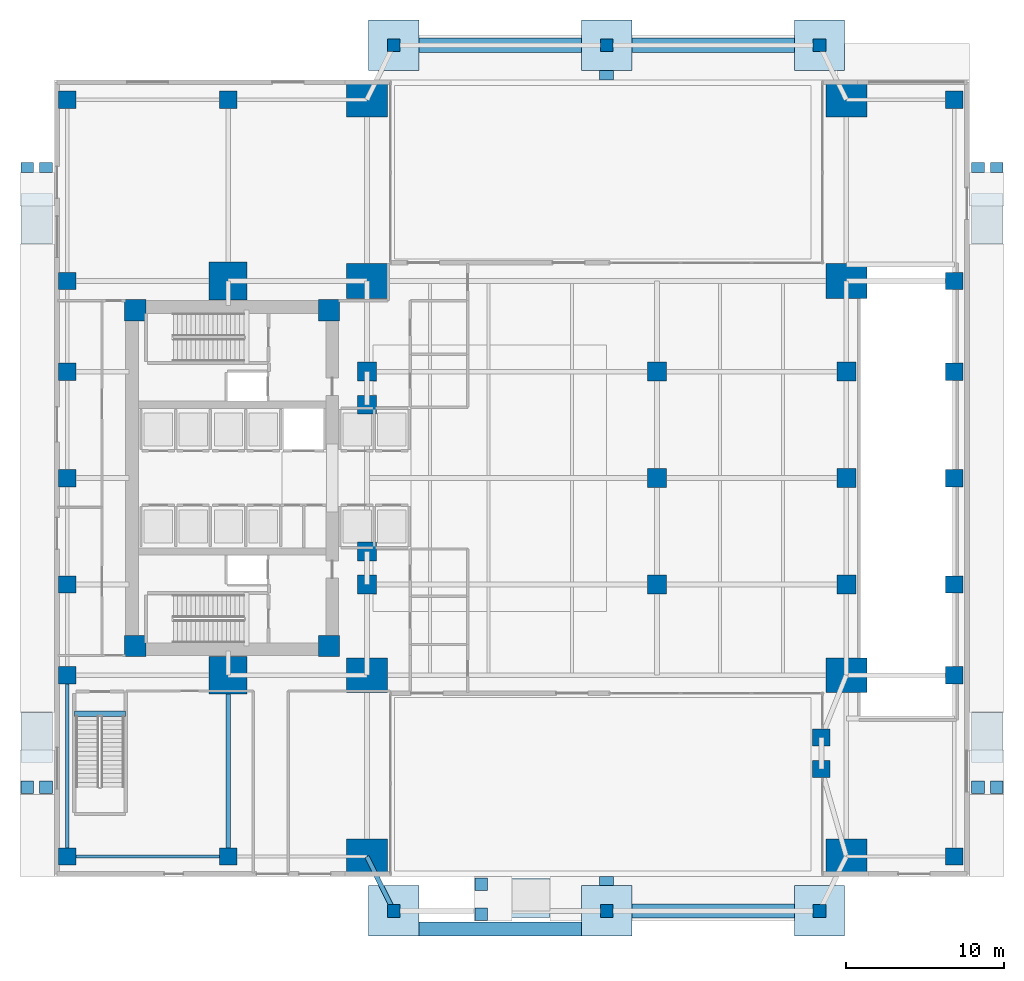
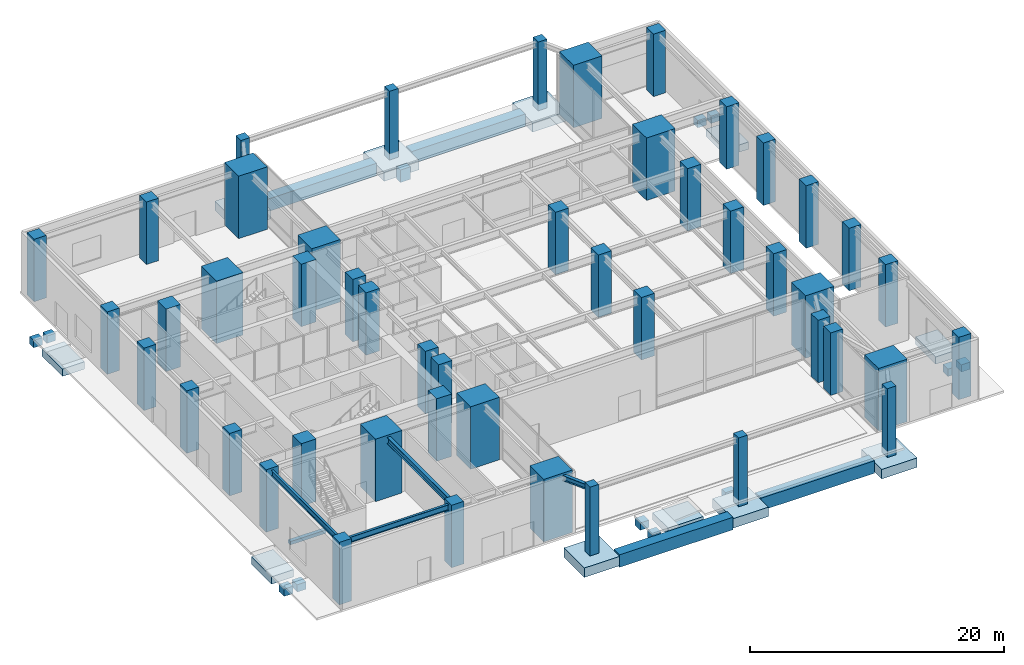
# One storey, part 1 of 17: 48 columns, 27 footings, 5 beams.
"""IFC4 building model written with IfcOpenShell, lengths in metres."""

from ifc_helpers import new_model, si_unit, direction, frame, origin, origin_2d, place, context, subcontext, project, spatial, polyline, rectangle, i_section, outline, extrude, material, layer, layer_set, material_profile, profile_set, type_object, element, save


model = new_model("IFC4")

# Units and contexts
model_context = context("Model", 3, precision=1e-05, world=origin(), true_north=direction((0.0, 1.0)))
body_context = subcontext(model_context, "Body", "Model", "MODEL_VIEW")
ifc_project = project(units=[si_unit("LENGTHUNIT", "METRE"), si_unit("AREAUNIT", "SQUARE_METRE"), si_unit("VOLUMEUNIT", "CUBIC_METRE"), si_unit("PLANEANGLEUNIT", "RADIAN"), si_unit("MASSUNIT", "GRAM", prefix="KILO")], contexts=[model_context])

# Site, building, storey
site_placement = place(None, origin())
site = spatial("IfcSite", under=ifc_project, at=site_placement, CompositionType="ELEMENT")
building_placement = place(site_placement, origin())
building = spatial("IfcBuilding", under=site, at=building_placement, Name="Kinhvarn Gate Tower", CompositionType="ELEMENT")
storey_placement = place(building_placement, origin())
storey = spatial("IfcBuildingStorey", under=building, at=storey_placement, Name="L00", CompositionType="ELEMENT", Elevation=0.0)

# Footings
ifc_material_1 = material(Name="Concrete C50/60", Category="concrete")
ifc_material_profile_1 = material_profile(ifc_material_1, rectangle(XDim=0.89990234375, YDim=1.199951171875, at=origin_2d()), Name="RC 900x1200")
ifc_profile_set_1 = profile_set([ifc_material_profile_1], Name="Concrete C50/60")
footing_type_1 = type_object("IfcFootingType", Name="FTG-BEAM-1200", PredefinedType="FOOTING_BEAM", material=ifc_profile_set_1)
for number, where, z_axis, x_axis, name in (
    (1, (23.10009765625, -3.35009765625, -1.050048828125), (1.0, 0.0, 0.0), (0.0, 1.0, 0.0), "Entrance Portico Tie Footing Beam FB-01-S-EW1"),
    (2, (36.60009765625, -2.199951171875, -1.050048828125), (1.0, 0.0, 0.0), (0.0, 1.0, 0.0), "Entrance Portico Tie Footing Beam FB-01-S-EW2"),
    (3, (23.10009765625, 52.699951171875, -1.050048828125), (1.0, 0.0, 0.0), (0.0, 1.0, 0.0), "Entrance Portico Tie Footing Beam FB-01-N-EW1"),
    (4, (36.60009765625, 52.699951171875, -1.050048828125), (1.0, 0.0, 0.0), (0.0, 1.0, 0.0), "Entrance Portico Tie Footing Beam FB-01-N-EW2"),
):
    element("IfcFooting", number, at=place(storey_placement, frame(where, z_axis=z_axis, x_axis=x_axis)), inside=storey, type_object=footing_type_1, Name=name, PredefinedType="FOOTING_BEAM", context=body_context, shape_type="SweptSolid", body=[
        extrude(rectangle(XDim=0.89990234375, YDim=1.199951171875, at=origin_2d()), origin(), (0.0, 0.0, 1.0), 10.2998046875),
    ])
for number, where, z_axis, x_axis, name in (
    (5, (35.0, -0.60009765625, -1.050048828125), (0.0, 1.0, 0.0), (-1.0, 0.0, 0.0), "Entrance Portico Tie Footing Beam FB-01-S-TIE"),
    (6, (35.0, 50.5, -1.050048828125), (0.0, 1.0, 0.0), (-1.0, 0.0, 0.0), "Entrance Portico Tie Footing Beam FB-01-N-TIE"),
):
    element("IfcFooting", number, at=place(storey_placement, frame(where, z_axis=z_axis, x_axis=x_axis)), inside=storey, type_object=footing_type_1, Name=name, PredefinedType="FOOTING_BEAM", context=body_context, shape_type="SweptSolid", body=[
        extrude(rectangle(XDim=0.89990234375, YDim=1.199951171875, at=origin_2d()), origin(), (0.0, 0.0, 1.0), 0.60009765625),
    ])
ifc_layer = layer(ifc_material_1, 0.89990234375)
ifc_layer_set = layer_set([ifc_layer], Name="Concrete C50/60")
footing_type_2 = type_object("IfcFootingType", Name="FTG-PAD-3200", PredefinedType="PAD_FOOTING", material=ifc_layer_set)
footing_1_placement = place(storey_placement, frame((0.0, 0.0, -1.5)))
element("IfcFooting", 7, at=footing_1_placement, inside=storey, type_object=footing_type_2, Name="Entrance Portico Pad Footing PF-01-PS1", PredefinedType="PAD_FOOTING", context=body_context, shape_type="SweptSolid", body=[
    extrude(outline(polyline([(19.89990234375, -3.800048828125), (23.10009765625, -3.800048828125), (23.10009765625, -0.60009765625), (19.89990234375, -0.60009765625), (19.89990234375, -3.800048828125)])), origin(), (0.0, 0.0, 1.0), 0.89990234375),
])
footing_2_placement = place(storey_placement, frame((0.0, 0.0, -1.5)))
element("IfcFooting", 8, at=footing_2_placement, inside=storey, type_object=footing_type_2, Name="Entrance Portico Pad Footing PF-01-PS2", PredefinedType="PAD_FOOTING", context=body_context, shape_type="SweptSolid", body=[
    extrude(outline(polyline([(33.39990234375, -3.800048828125), (36.60009765625, -3.800048828125), (36.60009765625, -0.60009765625), (33.39990234375, -0.60009765625), (33.39990234375, -3.800048828125)])), origin(), (0.0, 0.0, 1.0), 0.89990234375),
])
footing_3_placement = place(storey_placement, frame((0.0, 0.0, -1.5)))
element("IfcFooting", 9, at=footing_3_placement, inside=storey, type_object=footing_type_2, Name="Entrance Portico Pad Footing PF-01-PS3", PredefinedType="PAD_FOOTING", context=body_context, shape_type="SweptSolid", body=[
    extrude(outline(polyline([(46.89990234375, -3.800048828125), (50.10009765625, -3.800048828125), (50.10009765625, -0.60009765625), (46.89990234375, -0.60009765625), (46.89990234375, -3.800048828125)])), origin(), (0.0, 0.0, 1.0), 0.89990234375),
])
footing_4_placement = place(storey_placement, frame((0.0, 0.0, -1.5)))
element("IfcFooting", 10, at=footing_4_placement, inside=storey, type_object=footing_type_2, Name="Entrance Portico Pad Footing PF-01-PN1", PredefinedType="PAD_FOOTING", context=body_context, shape_type="SweptSolid", body=[
    extrude(outline(polyline([(19.89990234375, 51.10009765625), (23.10009765625, 51.10009765625), (23.10009765625, 54.300048828125), (19.89990234375, 54.300048828125), (19.89990234375, 51.10009765625)])), origin(), (0.0, 0.0, 1.0), 0.89990234375),
])
footing_5_placement = place(storey_placement, frame((0.0, 0.0, -1.5)))
element("IfcFooting", 11, at=footing_5_placement, inside=storey, type_object=footing_type_2, Name="Entrance Portico Pad Footing PF-01-PN2", PredefinedType="PAD_FOOTING", context=body_context, shape_type="SweptSolid", body=[
    extrude(outline(polyline([(33.39990234375, 51.10009765625), (36.60009765625, 51.10009765625), (36.60009765625, 54.300048828125), (33.39990234375, 54.300048828125), (33.39990234375, 51.10009765625)])), origin(), (0.0, 0.0, 1.0), 0.89990234375),
])
footing_6_placement = place(storey_placement, frame((0.0, 0.0, -1.5)))
element("IfcFooting", 12, at=footing_6_placement, inside=storey, type_object=footing_type_2, Name="Entrance Portico Pad Footing PF-01-PN3", PredefinedType="PAD_FOOTING", context=body_context, shape_type="SweptSolid", body=[
    extrude(outline(polyline([(46.89990234375, 51.10009765625), (50.10009765625, 51.10009765625), (50.10009765625, 54.300048828125), (46.89990234375, 54.300048828125), (46.89990234375, 51.10009765625)])), origin(), (0.0, 0.0, 1.0), 0.89990234375),
])
footing_7_placement = place(storey_placement, frame((0.0, 0.0, -1.10009765625)))
element("IfcFooting", 13, at=footing_7_placement, inside=storey, type_object=footing_type_2, Name="Entrance Grade Pad Footing PF-01-WS-1", PredefinedType="PAD_FOOTING", context=body_context, shape_type="SweptSolid", body=[
    extrude(outline(polyline([(-2.14990234375, 5.25), (-1.35009765625, 5.25), (-1.35009765625, 6.050048828125), (-2.14990234375, 6.050048828125), (-2.14990234375, 5.25)])), origin(), (0.0, 0.0, 1.0), 0.7001953125),
])
footing_8_placement = place(storey_placement, frame((0.0, 0.0, -1.10009765625)))
element("IfcFooting", 14, at=footing_8_placement, inside=storey, type_object=footing_type_2, Name="Entrance Grade Pad Footing PF-01-WS-2", PredefinedType="PAD_FOOTING", context=body_context, shape_type="SweptSolid", body=[
    extrude(outline(polyline([(-0.949951171875, 5.25), (-0.14990234375, 5.25), (-0.14990234375, 6.050048828125), (-0.949951171875, 6.050048828125), (-0.949951171875, 5.25)])), origin(), (0.0, 0.0, 1.0), 0.7001953125),
])
footing_9_placement = place(storey_placement, frame((0.0, 0.0, -1.10009765625)))
element("IfcFooting", 15, at=footing_9_placement, inside=storey, type_object=footing_type_2, Name="Entrance Grade Pad Footing PF-01-WS-3", PredefinedType="PAD_FOOTING", context=body_context, shape_type="SweptSolid", body=[
    extrude(outline(polyline([(-2.14990234375, 7.199951171875), (-0.14990234375, 7.199951171875), (-0.14990234375, 10.39990234375), (-2.14990234375, 10.39990234375), (-2.14990234375, 7.199951171875)])), origin(), (0.0, 0.0, 1.0), 0.7001953125),
])
footing_10_placement = place(storey_placement, frame((0.0, 0.0, -1.10009765625)))
element("IfcFooting", 16, at=footing_10_placement, inside=storey, type_object=footing_type_2, Name="Entrance Grade Pad Footing PF-01-WN-1", PredefinedType="PAD_FOOTING", context=body_context, shape_type="SweptSolid", body=[
    extrude(outline(polyline([(-2.14990234375, 44.6201171875), (-1.35009765625, 44.6201171875), (-1.35009765625, 45.25), (-2.14990234375, 45.25), (-2.14990234375, 44.6201171875)])), origin(), (0.0, 0.0, 1.0), 0.7001953125),
])
footing_11_placement = place(storey_placement, frame((0.0, 0.0, -1.10009765625)))
element("IfcFooting", 17, at=footing_11_placement, inside=storey, type_object=footing_type_2, Name="Entrance Grade Pad Footing PF-01-WN-2", PredefinedType="PAD_FOOTING", context=body_context, shape_type="SweptSolid", body=[
    extrude(outline(polyline([(-0.949951171875, 44.6201171875), (-0.14990234375, 44.6201171875), (-0.14990234375, 45.25), (-0.949951171875, 45.25), (-0.949951171875, 44.6201171875)])), origin(), (0.0, 0.0, 1.0), 0.7001953125),
])
footing_12_placement = place(storey_placement, frame((0.0, 0.0, -1.10009765625)))
element("IfcFooting", 18, at=footing_12_placement, inside=storey, type_object=footing_type_2, Name="Entrance Grade Pad Footing PF-01-WN-3", PredefinedType="PAD_FOOTING", context=body_context, shape_type="SweptSolid", body=[
    extrude(outline(polyline([(-2.14990234375, 40.10009765625), (-0.14990234375, 40.10009765625), (-0.14990234375, 43.300048828125), (-2.14990234375, 43.300048828125), (-2.14990234375, 40.10009765625)])), origin(), (0.0, 0.0, 1.0), 0.7001953125),
])
footing_13_placement = place(storey_placement, frame((0.0, 0.0, -1.10009765625)))
element("IfcFooting", 19, at=footing_13_placement, inside=storey, type_object=footing_type_2, Name="Entrance Grade Pad Footing PF-01-ES-1", PredefinedType="PAD_FOOTING", context=body_context, shape_type="SweptSolid", body=[
    extrude(outline(polyline([(58.14990234375, 5.25), (58.949951171875, 5.25), (58.949951171875, 6.050048828125), (58.14990234375, 6.050048828125), (58.14990234375, 5.25)])), origin(), (0.0, 0.0, 1.0), 0.7001953125),
])
footing_14_placement = place(storey_placement, frame((0.0, 0.0, -1.10009765625)))
element("IfcFooting", 20, at=footing_14_placement, inside=storey, type_object=footing_type_2, Name="Entrance Grade Pad Footing PF-01-ES-2", PredefinedType="PAD_FOOTING", context=body_context, shape_type="SweptSolid", body=[
    extrude(outline(polyline([(59.35009765625, 5.25), (60.14990234375, 5.25), (60.14990234375, 6.050048828125), (59.35009765625, 6.050048828125), (59.35009765625, 5.25)])), origin(), (0.0, 0.0, 1.0), 0.7001953125),
])
footing_15_placement = place(storey_placement, frame((0.0, 0.0, -1.10009765625)))
element("IfcFooting", 21, at=footing_15_placement, inside=storey, type_object=footing_type_2, Name="Entrance Grade Pad Footing PF-01-ES-3", PredefinedType="PAD_FOOTING", context=body_context, shape_type="SweptSolid", body=[
    extrude(outline(polyline([(58.14990234375, 7.199951171875), (60.14990234375, 7.199951171875), (60.14990234375, 10.39990234375), (58.14990234375, 10.39990234375), (58.14990234375, 7.199951171875)])), origin(), (0.0, 0.0, 1.0), 0.7001953125),
])
footing_16_placement = place(storey_placement, frame((0.0, 0.0, -1.10009765625)))
element("IfcFooting", 22, at=footing_16_placement, inside=storey, type_object=footing_type_2, Name="Entrance Grade Pad Footing PF-01-EN-1", PredefinedType="PAD_FOOTING", context=body_context, shape_type="SweptSolid", body=[
    extrude(outline(polyline([(58.14990234375, 44.6201171875), (58.949951171875, 44.6201171875), (58.949951171875, 45.25), (58.14990234375, 45.25), (58.14990234375, 44.6201171875)])), origin(), (0.0, 0.0, 1.0), 0.7001953125),
])
footing_17_placement = place(storey_placement, frame((0.0, 0.0, -1.10009765625)))
element("IfcFooting", 23, at=footing_17_placement, inside=storey, type_object=footing_type_2, Name="Entrance Grade Pad Footing PF-01-EN-2", PredefinedType="PAD_FOOTING", context=body_context, shape_type="SweptSolid", body=[
    extrude(outline(polyline([(59.35009765625, 44.6201171875), (60.14990234375, 44.6201171875), (60.14990234375, 45.25), (59.35009765625, 45.25), (59.35009765625, 44.6201171875)])), origin(), (0.0, 0.0, 1.0), 0.7001953125),
])
footing_18_placement = place(storey_placement, frame((0.0, 0.0, -1.10009765625)))
element("IfcFooting", 24, at=footing_18_placement, inside=storey, type_object=footing_type_2, Name="Entrance Grade Pad Footing PF-01-EN-3", PredefinedType="PAD_FOOTING", context=body_context, shape_type="SweptSolid", body=[
    extrude(outline(polyline([(58.14990234375, 40.10009765625), (60.14990234375, 40.10009765625), (60.14990234375, 43.300048828125), (58.14990234375, 43.300048828125), (58.14990234375, 40.10009765625)])), origin(), (0.0, 0.0, 1.0), 0.7001953125),
])
footing_19_placement = place(storey_placement, frame((0.0, 0.0, -1.10009765625)))
element("IfcFooting", 25, at=footing_19_placement, inside=storey, type_object=footing_type_2, Name="Entrance Grade Pad Footing PF-01-SC-1", PredefinedType="PAD_FOOTING", context=body_context, shape_type="SweptSolid", body=[
    extrude(outline(polyline([(26.64990234375, -2.800048828125), (27.449951171875, -2.800048828125), (27.449951171875, -2.0), (26.64990234375, -2.0), (26.64990234375, -2.800048828125)])), origin(), (0.0, 0.0, 1.0), 0.7001953125),
])
footing_20_placement = place(storey_placement, frame((0.0, 0.0, -1.10009765625)))
element("IfcFooting", 26, at=footing_20_placement, inside=storey, type_object=footing_type_2, Name="Entrance Grade Pad Footing PF-01-SC-2", PredefinedType="PAD_FOOTING", context=body_context, shape_type="SweptSolid", body=[
    extrude(outline(polyline([(26.64990234375, -0.89990234375), (27.449951171875, -0.89990234375), (27.449951171875, -0.10009765625), (26.64990234375, -0.10009765625), (26.64990234375, -0.89990234375)])), origin(), (0.0, 0.0, 1.0), 0.7001953125),
])
footing_21_placement = place(storey_placement, frame((0.0, 0.0, -1.10009765625)))
element("IfcFooting", 27, at=footing_21_placement, inside=storey, type_object=footing_type_2, Name="Entrance Grade Pad Footing PF-01-SC-3", PredefinedType="PAD_FOOTING", context=body_context, shape_type="SweptSolid", body=[
    extrude(outline(polyline([(28.199951171875, -2.60009765625), (31.39990234375, -2.60009765625), (31.39990234375, -0.14990234375), (28.199951171875, -0.14990234375), (28.199951171875, -2.60009765625)])), origin(), (0.0, 0.0, 1.0), 0.7001953125),
])

# Columns
ifc_material_2 = material(Name="Concrete C70/85", Category="concrete")
ifc_material_profile_2 = material_profile(ifc_material_2, rectangle(XDim=2.60009765625, YDim=2.199951171875, at=origin_2d()), Name="RC 2600x2200")
ifc_profile_set_2 = profile_set([ifc_material_profile_2], Name="Concrete C70/85")
column_type_1 = type_object("IfcColumnType", Name="COL-AP-2600", PredefinedType="COLUMN", material=ifc_profile_set_2)
for number, where, z_axis, x_axis, name in (
    (28, (19.800048828125, 1.25, 0.0), (0.0, 0.0, 1.0), (1.0, 0.0, 0.0), "Column APW-1-L00 (AP-01)"),
    (29, (50.199951171875, 1.25, 0.0), (0.0, 0.0, 1.0), (1.0, 0.0, 0.0), "Column APE-1-L00 (AP-01)"),
    (30, (19.800048828125, 12.75, 0.0), (0.0, 0.0, 1.0), (1.0, 0.0, 0.0), "Column APW-2-L00 (AP-01)"),
    (31, (50.199951171875, 12.75, 0.0), (0.0, 0.0, 1.0), (1.0, 0.0, 0.0), "Column APE-2-L00 (AP-01)"),
    (32, (19.800048828125, 37.75, 0.0), (0.0, 0.0, 1.0), (1.0, 0.0, 0.0), "Column APW-3-L00 (AP-01)"),
    (33, (50.199951171875, 37.75, 0.0), (0.0, 0.0, 1.0), (1.0, 0.0, 0.0), "Column APE-3-L00 (AP-01)"),
    (34, (19.800048828125, 49.25, 0.0), (0.0, 0.0, 1.0), (1.0, 0.0, 0.0), "Column APW-4-L00 (AP-01)"),
    (35, (50.199951171875, 49.25, 0.0), (0.0, 0.0, 1.0), (1.0, 0.0, 0.0), "Column APE-4-L00 (AP-01)"),
):
    element("IfcColumn", number, at=place(storey_placement, frame(where, z_axis=z_axis, x_axis=x_axis)), inside=storey, type_object=column_type_1, Name=name, PredefinedType="COLUMN", context=body_context, shape_type="SweptSolid", body=[
        extrude(rectangle(XDim=2.60009765625, YDim=2.199951171875, at=origin_2d()), origin(), (0.0, 0.0, 1.0), 6.0),
    ])
ifc_material_profile_3 = material_profile(ifc_material_2, rectangle(XDim=2.39990234375, YDim=2.39990234375, at=origin_2d()), Name="RC 2400x2400")
ifc_profile_set_3 = profile_set([ifc_material_profile_3], Name="Concrete C70/85")
column_type_2 = type_object("IfcColumnType", Name="COL-MC-2400", PredefinedType="COLUMN", material=ifc_profile_set_3)
for number, where, z_axis, x_axis, name in (
    (36, (11.0, 12.75, 0.0), (0.0, 0.0, 1.0), (1.0, 0.0, 0.0), "Column MC1-L00 (MC-24)"),
    (37, (11.0, 37.75, 0.0), (0.0, 0.0, 1.0), (1.0, 0.0, 0.0), "Column MC4-L00 (MC-24)"),
):
    element("IfcColumn", number, at=place(storey_placement, frame(where, z_axis=z_axis, x_axis=x_axis)), inside=storey, type_object=column_type_2, Name=name, PredefinedType="COLUMN", context=body_context, shape_type="SweptSolid", body=[
        extrude(rectangle(XDim=2.39990234375, YDim=2.39990234375, at=origin_2d()), origin(), (0.0, 0.0, 1.0), 6.0),
    ])
ifc_material_3 = material(Name="Concrete C60/75", Category="concrete")
ifc_material_profile_4 = material_profile(ifc_material_3, rectangle(XDim=1.10009765625, YDim=1.10009765625, at=origin_2d()), Name="RC 1100x1100")
ifc_profile_set_4 = profile_set([ifc_material_profile_4], Name="Concrete C60/75")
column_type_3 = type_object("IfcColumnType", Name="COL-RC-1100", PredefinedType="COLUMN", material=ifc_profile_set_4)
for number, where, z_axis, x_axis, name in (
    (38, (0.800048828125, 1.25, 0.0), (0.0, 0.0, 1.0), (1.0, 0.0, 0.0), "Column PW-1-L00 (C-110)"),
    (39, (57.050048828125, 1.25, 0.0), (0.0, 0.0, 1.0), (1.0, 0.0, 0.0), "Column PE-1-L00 (C-110)"),
    (40, (0.800048828125, 12.75, 0.0), (0.0, 0.0, 1.0), (1.0, 0.0, 0.0), "Column PW-2-L00 (C-110)"),
    (41, (57.050048828125, 12.75, 0.0), (0.0, 0.0, 1.0), (1.0, 0.0, 0.0), "Column PE-2-L00 (C-110)"),
    (42, (0.800048828125, 18.5, 0.0), (0.0, 0.0, 1.0), (1.0, 0.0, 0.0), "Column PW-3-L00 (C-110)"),
    (43, (57.050048828125, 18.5, 0.0), (0.0, 0.0, 1.0), (1.0, 0.0, 0.0), "Column PE-3-L00 (C-110)"),
    (44, (0.800048828125, 25.25, 0.0), (0.0, 0.0, 1.0), (1.0, 0.0, 0.0), "Column PW-4-L00 (C-110)"),
    (45, (57.050048828125, 25.25, 0.0), (0.0, 0.0, 1.0), (1.0, 0.0, 0.0), "Column PE-4-L00 (C-110)"),
    (46, (0.800048828125, 32.0, 0.0), (0.0, 0.0, 1.0), (1.0, 0.0, 0.0), "Column PW-5-L00 (C-110)"),
    (47, (57.050048828125, 32.0, 0.0), (0.0, 0.0, 1.0), (1.0, 0.0, 0.0), "Column PE-5-L00 (C-110)"),
    (48, (0.800048828125, 37.75, 0.0), (0.0, 0.0, 1.0), (1.0, 0.0, 0.0), "Column PW-6-L00 (C-110)"),
    (49, (57.050048828125, 37.75, 0.0), (0.0, 0.0, 1.0), (1.0, 0.0, 0.0), "Column PE-6-L00 (C-110)"),
    (50, (0.800048828125, 49.25, 0.0), (0.0, 0.0, 1.0), (1.0, 0.0, 0.0), "Column PW-7-L00 (C-110)"),
    (51, (57.050048828125, 49.25, 0.0), (0.0, 0.0, 1.0), (1.0, 0.0, 0.0), "Column PE-7-L00 (C-110)"),
    (52, (11.0, 1.25, 0.0), (0.0, 0.0, 1.0), (1.0, 0.0, 0.0), "Column P11-S-L00 (C-110)"),
    (53, (11.0, 49.25, 0.0), (0.0, 0.0, 1.0), (1.0, 0.0, 0.0), "Column P11-N-L00 (C-110)"),
    (54, (48.6201171875, 6.800048828125, 0.0), (0.0, 0.0, 1.0), (1.0, 0.0, 0.0), "Column CS-SE1-L00 (C-110)"),
    (55, (48.6201171875, 8.800048828125, 0.0), (0.0, 0.0, 1.0), (1.0, 0.0, 0.0), "Column CS-SE1B-L00 (C-110)"),
):
    element("IfcColumn", number, at=place(storey_placement, frame(where, z_axis=z_axis, x_axis=x_axis)), inside=storey, type_object=column_type_3, Name=name, PredefinedType="COLUMN", context=body_context, shape_type="SweptSolid", body=[
        extrude(rectangle(XDim=1.10009765625, YDim=1.10009765625, at=origin_2d()), origin(), (0.0, 0.0, 1.0), 6.0),
    ])
ifc_material_profile_5 = material_profile(ifc_material_3, rectangle(XDim=1.199951171875, YDim=1.199951171875, at=origin_2d()), Name="RC 1200x1200")
ifc_profile_set_5 = profile_set([ifc_material_profile_5], Name="Concrete C60/75")
column_type_4 = type_object("IfcColumnType", Name="COL-RC-1200", PredefinedType="COLUMN", material=ifc_profile_set_5)
for number, where, z_axis, x_axis, name in (
    (56, (38.199951171875, 18.5, 0.0), (0.0, 0.0, 1.0), (1.0, 0.0, 0.0), "Column SP38-E1-L00 (C-120)"),
    (57, (38.199951171875, 25.25, 0.0), (0.0, 0.0, 1.0), (1.0, 0.0, 0.0), "Column SP38-E2-L00 (C-120)"),
    (58, (38.199951171875, 32.0, 0.0), (0.0, 0.0, 1.0), (1.0, 0.0, 0.0), "Column SP38-E3-L00 (C-120)"),
    (59, (19.800048828125, 18.5, 0.0), (0.0, 0.0, 1.0), (1.0, 0.0, 0.0), "Column APW-M1-L00 (C-120)"),
    (60, (19.800048828125, 20.60009765625, 0.0), (0.0, 0.0, 1.0), (1.0, 0.0, 0.0), "Column APW-M2-L00 (C-120)"),
    (61, (19.800048828125, 29.89990234375, 0.0), (0.0, 0.0, 1.0), (1.0, 0.0, 0.0), "Column APW-M3-L00 (C-120)"),
    (62, (19.800048828125, 32.0, 0.0), (0.0, 0.0, 1.0), (1.0, 0.0, 0.0), "Column APW-M4-L00 (C-120)"),
    (63, (50.199951171875, 18.5, 0.0), (0.0, 0.0, 1.0), (1.0, 0.0, 0.0), "Column APE-M1-L00 (C-120)"),
    (64, (50.199951171875, 25.25, 0.0), (0.0, 0.0, 1.0), (1.0, 0.0, 0.0), "Column APE-M2-L00 (C-120)"),
    (65, (50.199951171875, 32.0, 0.0), (0.0, 0.0, 1.0), (1.0, 0.0, 0.0), "Column APE-M3-L00 (C-120)"),
):
    element("IfcColumn", number, at=place(storey_placement, frame(where, z_axis=z_axis, x_axis=x_axis)), inside=storey, type_object=column_type_4, Name=name, PredefinedType="COLUMN", context=body_context, shape_type="SweptSolid", body=[
        extrude(rectangle(XDim=1.199951171875, YDim=1.199951171875, at=origin_2d()), origin(), (0.0, 0.0, 1.0), 6.0),
    ])
ifc_material_profile_6 = material_profile(ifc_material_1, rectangle(XDim=0.800048828125, YDim=0.800048828125, at=origin_2d()), Name="RC 800x800")
ifc_profile_set_6 = profile_set([ifc_material_profile_6], Name="Concrete C50/60")
column_type_5 = type_object("IfcColumnType", Name="COL-RC-800", PredefinedType="COLUMN", material=ifc_profile_set_6)
for number, where, z_axis, x_axis, name in (
    (66, (21.5, -2.199951171875, -0.60009765625), (0.0, 0.0, 1.0), (1.0, 0.0, 0.0), "Portal Arch Entrance Portico Column PS1"),
    (67, (35.0, -2.199951171875, -0.60009765625), (0.0, 0.0, 1.0), (1.0, 0.0, 0.0), "Portal Arch Entrance Portico Column PS2"),
    (68, (48.5, -2.199951171875, -0.60009765625), (0.0, 0.0, 1.0), (1.0, 0.0, 0.0), "Portal Arch Entrance Portico Column PS3"),
    (69, (21.5, 52.699951171875, -0.60009765625), (0.0, 0.0, 1.0), (1.0, 0.0, 0.0), "Portal Arch Entrance Portico Column PN1"),
    (70, (35.0, 52.699951171875, -0.60009765625), (0.0, 0.0, 1.0), (1.0, 0.0, 0.0), "Portal Arch Entrance Portico Column PN2"),
    (71, (48.5, 52.699951171875, -0.60009765625), (0.0, 0.0, 1.0), (1.0, 0.0, 0.0), "Portal Arch Entrance Portico Column PN3"),
):
    element("IfcColumn", number, at=place(storey_placement, frame(where, z_axis=z_axis, x_axis=x_axis)), inside=storey, type_object=column_type_5, Name=name, PredefinedType="COLUMN", context=body_context, shape_type="SweptSolid", body=[
        extrude(rectangle(XDim=0.800048828125, YDim=0.800048828125, at=origin_2d()), origin(), (0.0, 0.0, 1.0), 6.60009765625),
    ])
ifc_material_profile_7 = material_profile(ifc_material_2, rectangle(XDim=1.35009765625, YDim=1.35009765625, at=origin_2d()), Name="RC 1350x1350")
ifc_profile_set_7 = profile_set([ifc_material_profile_7], Name="Concrete C70/85")
column_type_6 = type_object("IfcColumnType", Name="PIL-RC-1350", PredefinedType="PILASTER", material=ifc_profile_set_7)
for number, where, z_axis, x_axis, name in (
    (72, (5.10009765625, 14.60009765625, 0.0), (0.0, 0.0, 1.0), (1.0, 0.0, 0.0), "Column CC-SW-L00 (CP-135)"),
    (73, (5.10009765625, 35.89990234375, 0.0), (0.0, 0.0, 1.0), (1.0, 0.0, 0.0), "Column CC-NW-L00 (CP-135)"),
    (74, (17.39990234375, 14.60009765625, 0.0), (0.0, 0.0, 1.0), (1.0, 0.0, 0.0), "Column CC-SE-L00 (CP-135)"),
    (75, (17.39990234375, 35.89990234375, 0.0), (0.0, 0.0, 1.0), (1.0, 0.0, 0.0), "Column CC-NE-L00 (CP-135)"),
):
    element("IfcColumn", number, at=place(storey_placement, frame(where, z_axis=z_axis, x_axis=x_axis)), inside=storey, type_object=column_type_6, Name=name, PredefinedType="PILASTER", context=body_context, shape_type="SweptSolid", body=[
        extrude(rectangle(XDim=1.35009765625, YDim=1.35009765625, at=origin_2d()), origin(), (0.0, 0.0, 1.0), 6.0),
    ])

# Beams
ifc_material_profile_8 = material_profile(ifc_material_1, rectangle(XDim=0.340087890625, YDim=0.320068359375, at=origin_2d()), Name="RC 340x320")
ifc_profile_set_8 = profile_set([ifc_material_profile_8], Name="Concrete C50/60")
beam_type_1 = type_object("IfcBeamType", Name="BM-LND-500", PredefinedType="BEAM", material=ifc_profile_set_8)
beam_1_placement = place(storey_placement, frame((1.25, 10.31494140625, -0.159912109375), z_axis=(1.0, 0.0, 0.0), x_axis=(0.0, 1.0, 0.0)))
element("IfcBeam", 76, at=beam_1_placement, inside=storey, type_object=beam_type_1, Name="Stair ST3 Landing Nosing Beam (L00)", PredefinedType="BEAM", context=body_context, shape_type="SweptSolid", body=[
    extrude(rectangle(XDim=0.340087890625, YDim=0.320068359375, at=origin_2d()), origin(), (0.0, 0.0, 1.0), 3.25),
])
ifc_material_4 = material(Name="Steel S355", Category="steel")
ifc_material_profile_9 = material_profile(ifc_material_4, i_section(OverallWidth=0.300048828125, OverallDepth=0.5, WebThickness=0.014404296875, FlangeThickness=0.028076171875, at=origin_2d()), Name="HEB 500")
ifc_profile_set_9 = profile_set([ifc_material_profile_9], Name="Steel S355")
beam_type_2 = type_object("IfcBeamType", Name="STL-HEB500", PredefinedType="BEAM", material=ifc_profile_set_9)
beam_2_placement = place(storey_placement, frame((21.5, -2.199951171875, 5.550048828125), z_axis=(-0.442000785414, 0.897014663031, 0.0), x_axis=(-0.897014663031, -0.442000785414, 0.0)))
element("IfcBeam", 77, at=beam_2_placement, inside=storey, type_object=beam_type_2, Name="Portico Canopy West Tie Girder S", PredefinedType="BEAM", context=body_context, shape_type="SweptSolid", body=[
    extrude(i_section(OverallWidth=0.300048828125, OverallDepth=0.5, WebThickness=0.014404296875, FlangeThickness=0.028076171875, at=origin_2d()), origin(), (0.0, 0.0, 1.0), 3.845947265625),
])
ifc_material_profile_10 = material_profile(ifc_material_4, i_section(OverallWidth=0.300048828125, OverallDepth=0.60009765625, WebThickness=0.015380859375, FlangeThickness=0.030029296875, at=origin_2d()), Name="HEB 600")
ifc_profile_set_10 = profile_set([ifc_material_profile_10], Name="Steel S355")
beam_type_3 = type_object("IfcBeamType", Name="STL-HEB600", PredefinedType="BEAM", material=ifc_profile_set_10)
beam_3_placement = place(storey_placement, frame((11.0, 1.25, 5.5), z_axis=(0.0, 1.0, 0.0), x_axis=(-1.0, 0.0, 0.0)))
element("IfcBeam", 78, at=beam_3_placement, inside=storey, type_object=beam_type_3, Name="Floor Beam PG-16 (L00 NS11-S)", PredefinedType="BEAM", context=body_context, shape_type="SweptSolid", body=[
    extrude(i_section(OverallWidth=0.300048828125, OverallDepth=0.60009765625, WebThickness=0.015380859375, FlangeThickness=0.030029296875, at=origin_2d()), origin(), (0.0, 0.0, 1.0), 11.5),
])
ifc_material_profile_11 = material_profile(ifc_material_4, i_section(OverallWidth=0.2099609375, OverallDepth=0.550048828125, WebThickness=0.010986328125, FlangeThickness=0.01708984375, at=origin_2d()), Name="IPE 550")
ifc_profile_set_11 = profile_set([ifc_material_profile_11], Name="Steel S355")
beam_type_4 = type_object("IfcBeamType", Name="STL-IPE550", PredefinedType="SPANDREL", material=ifc_profile_set_11)
beam_4_placement = place(storey_placement, frame((0.800048828125, 1.25, 5.52490234375), z_axis=(0.0, 1.0, 0.0), x_axis=(-1.0, 0.0, 0.0)))
element("IfcBeam", 79, at=beam_4_placement, inside=storey, type_object=beam_type_4, Name="Floor Spandrel SB-08 (L00 PERW-1)", PredefinedType="SPANDREL", context=body_context, shape_type="SweptSolid", body=[
    extrude(i_section(OverallWidth=0.2099609375, OverallDepth=0.550048828125, WebThickness=0.010986328125, FlangeThickness=0.01708984375, at=origin_2d()), origin(), (0.0, 0.0, 1.0), 11.5),
])
beam_5_placement = place(storey_placement, frame((0.800048828125, 1.25, 5.52490234375), z_axis=(1.0, 0.0, 0.0), x_axis=(0.0, 1.0, 0.0)))
element("IfcBeam", 80, at=beam_5_placement, inside=storey, type_object=beam_type_4, Name="Floor Spandrel SB-08 (L00 SP-POD-SW1)", PredefinedType="SPANDREL", context=body_context, shape_type="SweptSolid", body=[
    extrude(i_section(OverallWidth=0.2099609375, OverallDepth=0.550048828125, WebThickness=0.010986328125, FlangeThickness=0.01708984375, at=origin_2d()), origin(), (0.0, 0.0, 1.0), 10.199951171875),
])

save(model, "model.ifc")
